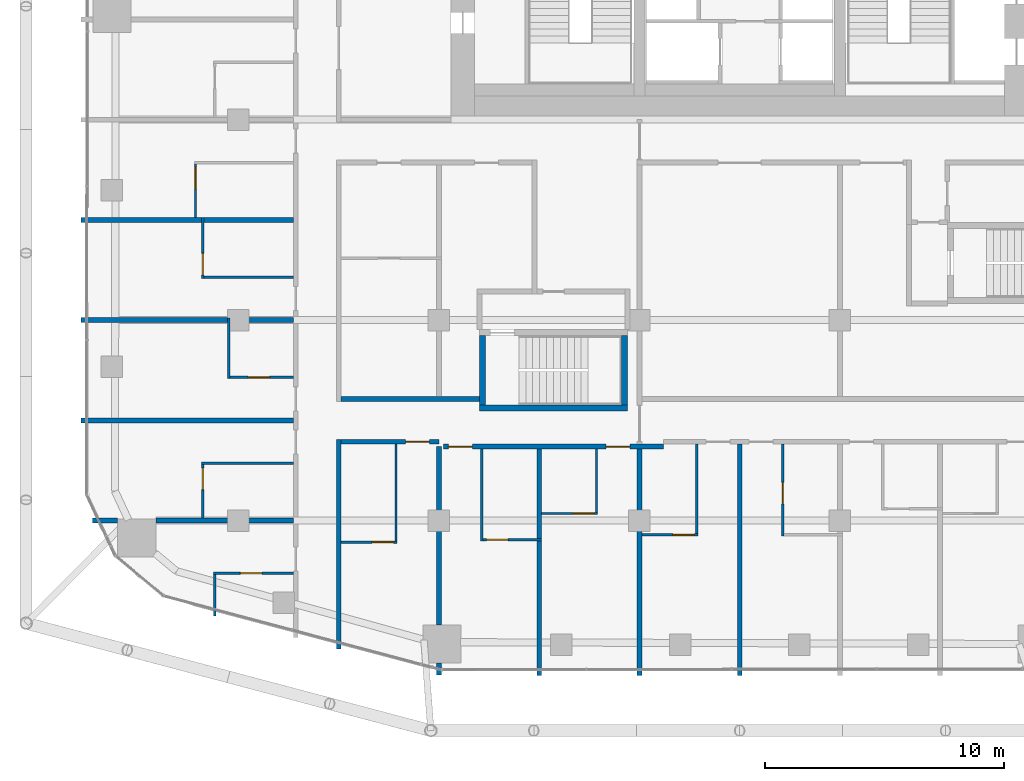
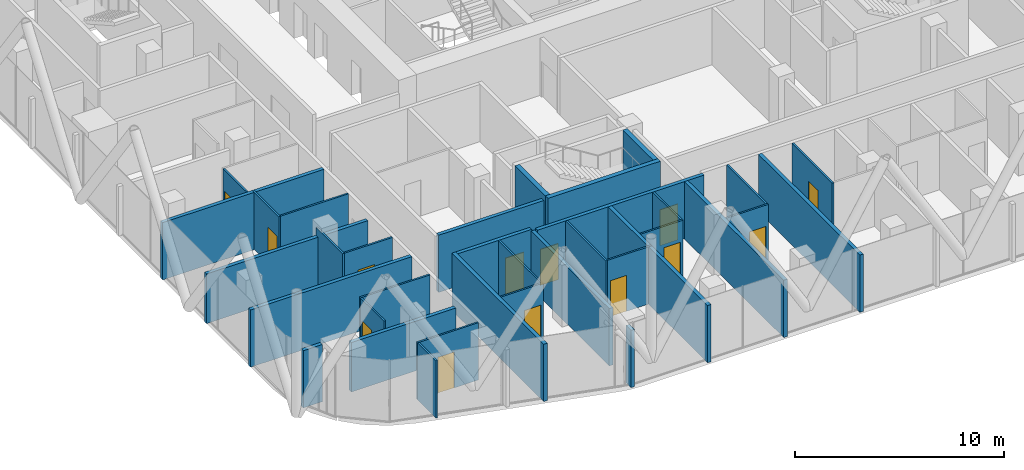
# One storey, part 24 of 33: 35 walls, 13 doors, 13 openings.
"""IFC4 building model written with IfcOpenShell, lengths in metres."""

from ifc_helpers import new_model, si_unit, direction, frame, frame_2d, origin, place, context, subcontext, project, spatial, rectangle, extrude, material, layer, layer_set, type_object, element, fill, save


model = new_model("IFC4")

# Units and contexts
model_context = context("Model", 3, precision=1e-05, world=origin(), true_north=direction((0.0, 1.0)))
body_context = subcontext(model_context, "Body", "Model", "MODEL_VIEW")
ifc_project = project(units=[si_unit("LENGTHUNIT", "METRE"), si_unit("AREAUNIT", "SQUARE_METRE"), si_unit("VOLUMEUNIT", "CUBIC_METRE"), si_unit("PLANEANGLEUNIT", "RADIAN"), si_unit("MASSUNIT", "GRAM", prefix="KILO")], contexts=[model_context])

# Site, building, storey
site_placement = place(None, origin())
site = spatial("IfcSite", under=ifc_project, at=site_placement, CompositionType="ELEMENT")
building_placement = place(site_placement, origin())
building = spatial("IfcBuilding", under=site, at=building_placement, Name="Marenta Gate Hotel Tower", CompositionType="ELEMENT")
storey_placement = place(building_placement, frame((0.0, 0.0, 108.5)))
storey = spatial("IfcBuildingStorey", under=building, at=storey_placement, Name="L23", CompositionType="ELEMENT", Elevation=108.5)

# Walls
ifc_material_1 = material(Name="Concrete blockwork", Category="masonry")
ifc_layer_1 = layer(ifc_material_1, 0.199951171875)
ifc_layer_set_1 = layer_set([ifc_layer_1], Name="Concrete blockwork")
wall_type_1 = type_object("IfcWallType", Name="Compartment wall 200 REI 180", PredefinedType="PARTITIONING", material=ifc_layer_set_1)
wall_1_placement = place(storey_placement, frame((-4.199951171875, -23.300048828125, 0.0), z_axis=(0.0, 0.0, 1.0), x_axis=(0.0, 1.0, 0.0)))
element("IfcWall", 1, at=wall_1_placement, inside=storey, type_object=wall_type_1, Name="L23-PTN-W078", PredefinedType="PARTITIONING", context=body_context, shape_type="SweptSolid", body=[
    extrude(rectangle(XDim=9.5, YDim=0.199951171875, at=frame_2d((4.75, 0.0))), origin(), (0.0, 0.0, 1.0), 3.340087890625),
])
ifc_material_2 = material(Name="Concrete C40", Category="concrete")
ifc_layer_2 = layer(ifc_material_2, 0.25)
ifc_layer_set_2 = layer_set([ifc_layer_2], Name="Concrete C40")
wall_type_2 = type_object("IfcWallType", Name="Remote stair enclosure wall 250 REI 180", PredefinedType="SHEAR", material=ifc_layer_set_2)
wall_2_placement = place(storey_placement, frame((-10.89990234375, -12.074951171875, 0.10009765625), z_axis=(0.0, 0.0, 1.0), x_axis=(1.0, 0.0, 0.0)))
element("IfcWall", 2, at=wall_2_placement, inside=storey, type_object=wall_type_2, Name="L23-RS-Z2-1-W1", PredefinedType="SHEAR", context=body_context, shape_type="SweptSolid", body=[
    extrude(rectangle(XDim=6.199951171875, YDim=0.25, at=frame_2d((3.10009765625, 0.0))), origin(), (0.0, 0.0, 1.0), 3.599853515625),
])
for number, where, z_axis, x_axis, name in (
    (3, (-10.77490234375, -11.949951171875, 0.10009765625), (0.0, 0.0, 1.0), (0.0, 1.0, 0.0), "L23-RS-Z2-1-W3"),
    (4, (-4.824951171875, -11.949951171875, 0.10009765625), (0.0, 0.0, 1.0), (0.0, 1.0, 0.0), "L23-RS-Z2-1-W4"),
):
    element("IfcWall", number, at=place(storey_placement, frame(where, z_axis=z_axis, x_axis=x_axis)), inside=storey, type_object=wall_type_2, Name=name, PredefinedType="SHEAR", context=body_context, shape_type="SweptSolid", body=[
        extrude(rectangle(XDim=2.89990234375, YDim=0.25, at=frame_2d((1.449951171875, 0.0))), origin(), (0.0, 0.0, 1.0), 3.599853515625),
    ])
ifc_material_3 = material(Name="Concrete blockwork", Category="masonry")
ifc_layer_3 = layer(ifc_material_3, 0.199951171875)
ifc_layer_set_3 = layer_set([ifc_layer_3], Name="Concrete blockwork")
wall_type_3 = type_object("IfcWallType", Name="Room corridor wall 200 EI 120", PredefinedType="PARTITIONING", material=ifc_layer_set_3)
wall_3_placement = place(storey_placement, frame((-16.699951171875, -11.699951171875, 0.0), z_axis=(0.0, 0.0, 1.0), x_axis=(1.0, 0.0, 0.0)))
element("IfcWall", 5, at=wall_3_placement, inside=storey, type_object=wall_type_3, Name="L23-PTN-W037", PredefinedType="PARTITIONING", context=body_context, shape_type="SweptSolid", body=[
    extrude(rectangle(XDim=5.800048828125, YDim=0.199951171875, at=frame_2d((2.89990234375, 0.0))), origin(), (0.0, 0.0, 1.0), 3.340087890625),
])

# Wall, openings, doors
ifc_material_4 = material(Name="Gypsum board on steel stud", Category="steel")
ifc_layer_4 = layer(ifc_material_4, 0.199951171875)
ifc_layer_set_4 = layer_set([ifc_layer_4], Name="Gypsum board on steel stud")
wall_type_4 = type_object("IfcWallType", Name="Room corridor wall 200 EI 60", PredefinedType="PARTITIONING", material=ifc_layer_set_4)
wall_4_placement = place(storey_placement, frame((-12.39990234375, -13.699951171875, 0.0), z_axis=(0.0, 0.0, 1.0), x_axis=(1.0, 0.0, 0.0)))
wall_4 = element("IfcWall", 6, at=wall_4_placement, inside=storey, type_object=wall_type_4, Name="L23-PTN-W028", PredefinedType="PARTITIONING", context=body_context, shape_type="SweptSolid", body=[
    extrude(rectangle(XDim=9.199951171875, YDim=0.199951171875, at=frame_2d((4.60009765625, 0.0))), origin(), (0.0, 0.0, 1.0), 3.340087890625),
])
opening_1_placement = place(wall_4_placement, frame((0.199951171875, 0.0, 0.0)))
opening_1 = element("IfcOpeningElement", 7, at=opening_1_placement, cuts=wall_4, Name="Opening G08-39", PredefinedType="OPENING", context=body_context, shape_type="SweptSolid", body=[
    extrude(rectangle(XDim=1.0, YDim=2.10009765625, at=frame_2d((0.5, 1.050048828125))), frame((0.0, 0.10009765625, 0.0), z_axis=(0.0, -1.0, 0.0), x_axis=(1.0, 0.0, 0.0)), (0.0, 0.0, 1.0), 0.199951171875),
])
opening_2_placement = place(wall_4_placement, frame((6.800048828125, 0.0, 0.0)))
opening_2 = element("IfcOpeningElement", 8, at=opening_2_placement, cuts=wall_4, Name="Opening G08-41", PredefinedType="OPENING", context=body_context, shape_type="SweptSolid", body=[
    extrude(rectangle(XDim=1.0, YDim=2.10009765625, at=frame_2d((0.5, 1.050048828125))), frame((0.0, 0.10009765625, 0.0), z_axis=(0.0, -1.0, 0.0), x_axis=(1.0, 0.0, 0.0)), (0.0, 0.0, 1.0), 0.199951171875),
])
ifc_material_5 = material(Name="Timber door leaf", Category="wood")
door_type_1 = type_object("IfcDoorType", Name="Guest room door 1000x2100 EI 30", OperationType="NOTDEFINED", PredefinedType="DOOR", material=ifc_material_5)
door_1_placement = place(opening_1_placement, origin())
door_1 = element("IfcDoor", 9, at=door_1_placement, inside=storey, type_object=door_type_1, Name="L23-PD-D039", OperationType="SINGLE_SWING_RIGHT", OverallHeight=2.10009765625, OverallWidth=1.0, PredefinedType="DOOR", context=body_context, shape_type="SweptSolid", body=[
    extrude(rectangle(XDim=1.0, YDim=2.10009765625, at=frame_2d((0.5, 1.050048828125))), frame((0.0, 0.02490234375, 0.0), z_axis=(0.0, -1.0, 0.0), x_axis=(1.0, 0.0, 0.0)), (0.0, 0.0, 1.0), 0.050048828125),
])
fill(opening_1, door_1)
door_2_placement = place(opening_2_placement, origin())
door_2 = element("IfcDoor", 10, at=door_2_placement, inside=storey, type_object=door_type_1, Name="L23-PD-D041", OperationType="SINGLE_SWING_LEFT", OverallHeight=2.10009765625, OverallWidth=1.0, PredefinedType="DOOR", context=body_context, shape_type="SweptSolid", body=[
    extrude(rectangle(XDim=1.0, YDim=2.10009765625, at=frame_2d((0.5, 1.050048828125))), frame((0.0, 0.02490234375, 0.0), z_axis=(0.0, -1.0, 0.0), x_axis=(1.0, 0.0, 0.0)), (0.0, 0.0, 1.0), 0.050048828125),
])
fill(opening_2, door_2)

# Wall, opening, door
wall_5_placement = place(storey_placement, frame((-16.699951171875, -13.5, 0.0), z_axis=(0.0, 0.0, 1.0), x_axis=(1.0, 0.0, 0.0)))
wall_5 = element("IfcWall", 11, at=wall_5_placement, inside=storey, type_object=wall_type_4, Name="L23-PTN-W029", PredefinedType="PARTITIONING", context=body_context, shape_type="SweptSolid", body=[
    extrude(rectangle(XDim=4.099853515625, YDim=0.199951171875, at=frame_2d((2.0498046875, 0.0))), origin(), (0.0, 0.0, 1.0), 3.340087890625),
])
opening_3_placement = place(wall_5_placement, frame((2.699951171875, 0.0, 0.0)))
opening_3 = element("IfcOpeningElement", 12, at=opening_3_placement, cuts=wall_5, Name="Opening G08-37", PredefinedType="OPENING", context=body_context, shape_type="SweptSolid", body=[
    extrude(rectangle(XDim=1.0, YDim=2.10009765625, at=frame_2d((0.5, 1.050048828125))), frame((0.0, 0.10009765625, 0.0), z_axis=(0.0, -1.0, 0.0), x_axis=(1.0, 0.0, 0.0)), (0.0, 0.0, 1.0), 0.199951171875),
])
door_3_placement = place(opening_3_placement, origin())
door_3 = element("IfcDoor", 13, at=door_3_placement, inside=storey, type_object=door_type_1, Name="L23-PD-D037", OperationType="SINGLE_SWING_LEFT", OverallHeight=2.10009765625, OverallWidth=1.0, PredefinedType="DOOR", context=body_context, shape_type="SweptSolid", body=[
    extrude(rectangle(XDim=1.0, YDim=2.10009765625, at=frame_2d((0.5, 1.050048828125))), frame((0.0, 0.02490234375, 0.0), z_axis=(0.0, -1.0, 0.0), x_axis=(1.0, 0.0, 0.0)), (0.0, 0.0, 1.0), 0.050048828125),
])
fill(opening_3, door_3)

# Wall
wall_6_placement = place(storey_placement, frame((-16.800048828125, -22.18603515625, 0.0), z_axis=(0.0, 0.0, 1.0), x_axis=(0.0, 1.0, 0.0)))
element("IfcWall", 14, at=wall_6_placement, inside=storey, type_object=wall_type_4, Name="L23-PTN-W103", PredefinedType="PARTITIONING", context=body_context, shape_type="SweptSolid", body=[
    extrude(rectangle(XDim=8.7861328125, YDim=0.199951171875, at=frame_2d((4.39306640625, 0.0))), origin(), (0.0, 0.0, 1.0), 3.340087890625),
])

# Wall, opening, door
ifc_material_6 = material(Name="Gypsum board on steel stud", Category="steel")
ifc_layer_5 = layer(ifc_material_6, 0.10009765625)
ifc_layer_set_5 = layer_set([ifc_layer_5], Name="Gypsum board on steel stud")
wall_type_5 = type_object("IfcWallType", Name="Room partition 100", PredefinedType="PARTITIONING", material=ifc_layer_set_5)
wall_7_placement = place(storey_placement, frame((-22.050048828125, -19.008056640625, 0.0), z_axis=(0.0, 0.0, 1.0), x_axis=(1.0, 0.0, 0.0)))
wall_7 = element("IfcWall", 15, at=wall_7_placement, inside=storey, type_object=wall_type_5, Name="L23-PTN-W009", PredefinedType="PARTITIONING", context=body_context, shape_type="SweptSolid", body=[
    extrude(rectangle(XDim=3.35009765625, YDim=0.10009765625, at=frame_2d((1.675048828125, 0.0))), origin(), (0.0, 0.0, 1.0), 3.340087890625),
])
opening_4_placement = place(wall_7_placement, frame((1.1298828125, 0.0, 0.0)))
opening_4 = element("IfcOpeningElement", 16, at=opening_4_placement, cuts=wall_7, Name="Opening G08-54", PredefinedType="OPENING", context=body_context, shape_type="SweptSolid", body=[
    extrude(rectangle(XDim=0.89990234375, YDim=2.10009765625, at=frame_2d((0.449951171875, 1.050048828125))), frame((0.0, 0.050048828125, 0.0), z_axis=(0.0, -1.0, 0.0), x_axis=(1.0, 0.0, 0.0)), (0.0, 0.0, 1.0), 0.10009765625),
])
ifc_material_7 = material(Name="Timber door leaf", Category="wood")
door_type_2 = type_object("IfcDoorType", Name="Guest bathroom door 900x2100", OperationType="NOTDEFINED", PredefinedType="DOOR", material=ifc_material_7)
door_4_placement = place(opening_4_placement, origin())
door_4 = element("IfcDoor", 17, at=door_4_placement, inside=storey, type_object=door_type_2, Name="L23-PD-D054", OperationType="SINGLE_SWING_LEFT", OverallHeight=2.10009765625, OverallWidth=0.89990234375, PredefinedType="DOOR", context=body_context, shape_type="SweptSolid", body=[
    extrude(rectangle(XDim=0.89990234375, YDim=2.10009765625, at=frame_2d((0.449951171875, 1.050048828125))), frame((0.0, 0.02490234375, 0.0), z_axis=(0.0, -1.0, 0.0), x_axis=(1.0, 0.0, 0.0)), (0.0, 0.0, 1.0), 0.050048828125),
])
fill(opening_4, door_4)

wall_8_placement = place(storey_placement, frame((-16.699951171875, -17.699951171875, 0.0), z_axis=(0.0, 0.0, 1.0), x_axis=(1.0, 0.0, 0.0)))
wall_8 = element("IfcWall", 18, at=wall_8_placement, inside=storey, type_object=wall_type_5, Name="L23-PTN-W011", PredefinedType="PARTITIONING", context=body_context, shape_type="SweptSolid", body=[
    extrude(rectangle(XDim=2.349853515625, YDim=0.10009765625, at=frame_2d((1.1748046875, 0.0))), origin(), (0.0, 0.0, 1.0), 3.340087890625),
])
opening_5_placement = place(wall_8_placement, frame((1.300048828125, 0.0, 0.0)))
opening_5 = element("IfcOpeningElement", 19, at=opening_5_placement, cuts=wall_8, Name="Opening G08-38", PredefinedType="OPENING", context=body_context, shape_type="SweptSolid", body=[
    extrude(rectangle(XDim=0.89990234375, YDim=2.10009765625, at=frame_2d((0.449951171875, 1.050048828125))), frame((0.0, 0.050048828125, 0.0), z_axis=(0.0, -1.0, 0.0), x_axis=(1.0, 0.0, 0.0)), (0.0, 0.0, 1.0), 0.10009765625),
])
door_5_placement = place(opening_5_placement, origin())
door_5 = element("IfcDoor", 20, at=door_5_placement, inside=storey, type_object=door_type_2, Name="L23-PD-D038", OperationType="SINGLE_SWING_RIGHT", OverallHeight=2.10009765625, OverallWidth=0.89990234375, PredefinedType="DOOR", context=body_context, shape_type="SweptSolid", body=[
    extrude(rectangle(XDim=0.89990234375, YDim=2.10009765625, at=frame_2d((0.449951171875, 1.050048828125))), frame((0.0, 0.02490234375, 0.0), z_axis=(0.0, -1.0, 0.0), x_axis=(1.0, 0.0, 0.0)), (0.0, 0.0, 1.0), 0.050048828125),
])
fill(opening_5, door_5)

wall_9_placement = place(storey_placement, frame((-10.75, -17.60009765625, 0.0), z_axis=(0.0, 0.0, 1.0), x_axis=(1.0, 0.0, 0.0)))
wall_9 = element("IfcWall", 21, at=wall_9_placement, inside=storey, type_object=wall_type_5, Name="L23-PTN-W012", PredefinedType="PARTITIONING", context=body_context, shape_type="SweptSolid", body=[
    extrude(rectangle(XDim=2.449951171875, YDim=0.10009765625, at=frame_2d((1.22509765625, 0.0))), origin(), (0.0, 0.0, 1.0), 3.340087890625),
])
opening_6_placement = place(wall_9_placement, frame((0.14990234375, 0.0, 0.0)))
opening_6 = element("IfcOpeningElement", 22, at=opening_6_placement, cuts=wall_9, Name="Opening G08-40", PredefinedType="OPENING", context=body_context, shape_type="SweptSolid", body=[
    extrude(rectangle(XDim=0.89990234375, YDim=2.10009765625, at=frame_2d((0.449951171875, 1.050048828125))), frame((0.0, 0.050048828125, 0.0), z_axis=(0.0, -1.0, 0.0), x_axis=(1.0, 0.0, 0.0)), (0.0, 0.0, 1.0), 0.10009765625),
])
door_6_placement = place(opening_6_placement, origin())
door_6 = element("IfcDoor", 23, at=door_6_placement, inside=storey, type_object=door_type_2, Name="L23-PD-D040", OperationType="SINGLE_SWING_LEFT", OverallHeight=2.10009765625, OverallWidth=0.89990234375, PredefinedType="DOOR", context=body_context, shape_type="SweptSolid", body=[
    extrude(rectangle(XDim=0.89990234375, YDim=2.10009765625, at=frame_2d((0.449951171875, 1.050048828125))), frame((0.0, 0.02490234375, 0.0), z_axis=(0.0, -1.0, 0.0), x_axis=(1.0, 0.0, 0.0)), (0.0, 0.0, 1.0), 0.050048828125),
])
fill(opening_6, door_6)

wall_10_placement = place(storey_placement, frame((-4.10009765625, -17.39990234375, 0.0), z_axis=(0.0, 0.0, 1.0), x_axis=(1.0, 0.0, 0.0)))
wall_10 = element("IfcWall", 24, at=wall_10_placement, inside=storey, type_object=wall_type_5, Name="L23-PTN-W013", PredefinedType="PARTITIONING", context=body_context, shape_type="SweptSolid", body=[
    extrude(rectangle(XDim=2.35009765625, YDim=0.10009765625, at=frame_2d((1.175048828125, 0.0))), origin(), (0.0, 0.0, 1.0), 3.340087890625),
])
opening_7_placement = place(wall_10_placement, frame((1.300048828125, 0.0, 0.0)))
opening_7 = element("IfcOpeningElement", 25, at=opening_7_placement, cuts=wall_10, Name="Opening G08-44", PredefinedType="OPENING", context=body_context, shape_type="SweptSolid", body=[
    extrude(rectangle(XDim=0.89990234375, YDim=2.10009765625, at=frame_2d((0.449951171875, 1.050048828125))), frame((0.0, 0.050048828125, 0.0), z_axis=(0.0, -1.0, 0.0), x_axis=(1.0, 0.0, 0.0)), (0.0, 0.0, 1.0), 0.10009765625),
])
door_7_placement = place(opening_7_placement, origin())
door_7 = element("IfcDoor", 26, at=door_7_placement, inside=storey, type_object=door_type_2, Name="L23-PD-D044", OperationType="SINGLE_SWING_RIGHT", OverallHeight=2.10009765625, OverallWidth=0.89990234375, PredefinedType="DOOR", context=body_context, shape_type="SweptSolid", body=[
    extrude(rectangle(XDim=0.89990234375, YDim=2.10009765625, at=frame_2d((0.449951171875, 1.050048828125))), frame((0.0, 0.02490234375, 0.0), z_axis=(0.0, -1.0, 0.0), x_axis=(1.0, 0.0, 0.0)), (0.0, 0.0, 1.0), 0.050048828125),
])
fill(opening_7, door_7)

wall_11_placement = place(storey_placement, frame((-8.300048828125, -16.5, 0.0), z_axis=(0.0, 0.0, 1.0), x_axis=(1.0, 0.0, 0.0)))
wall_11 = element("IfcWall", 27, at=wall_11_placement, inside=storey, type_object=wall_type_5, Name="L23-PTN-W021", PredefinedType="PARTITIONING", context=body_context, shape_type="SweptSolid", body=[
    extrude(rectangle(XDim=2.35009765625, YDim=0.10009765625, at=frame_2d((1.175048828125, 0.0))), origin(), (0.0, 0.0, 1.0), 3.340087890625),
])
opening_8_placement = place(wall_11_placement, frame((1.300048828125, 0.0, 0.0)))
opening_8 = element("IfcOpeningElement", 28, at=opening_8_placement, cuts=wall_11, Name="Opening G08-42", PredefinedType="OPENING", context=body_context, shape_type="SweptSolid", body=[
    extrude(rectangle(XDim=0.89990234375, YDim=2.10009765625, at=frame_2d((0.449951171875, 1.050048828125))), frame((0.0, 0.050048828125, 0.0), z_axis=(0.0, -1.0, 0.0), x_axis=(1.0, 0.0, 0.0)), (0.0, 0.0, 1.0), 0.10009765625),
])
door_8_placement = place(opening_8_placement, origin())
door_8 = element("IfcDoor", 29, at=door_8_placement, inside=storey, type_object=door_type_2, Name="L23-PD-D042", OperationType="SINGLE_SWING_RIGHT", OverallHeight=2.10009765625, OverallWidth=0.89990234375, PredefinedType="DOOR", context=body_context, shape_type="SweptSolid", body=[
    extrude(rectangle(XDim=0.89990234375, YDim=2.10009765625, at=frame_2d((0.449951171875, 1.050048828125))), frame((0.0, 0.02490234375, 0.0), z_axis=(0.0, -1.0, 0.0), x_axis=(1.0, 0.0, 0.0)), (0.0, 0.0, 1.0), 0.050048828125),
])
fill(opening_8, door_8)

# Wall
wall_12_placement = place(storey_placement, frame((-22.550048828125, -14.39990234375, 0.0), z_axis=(0.0, 0.0, 1.0), x_axis=(1.0, 0.0, 0.0)))
element("IfcWall", 30, at=wall_12_placement, inside=storey, type_object=wall_type_5, Name="L23-PTN-W026", PredefinedType="PARTITIONING", context=body_context, shape_type="SweptSolid", body=[
    extrude(rectangle(XDim=3.85009765625, YDim=0.10009765625, at=frame_2d((1.925048828125, 0.0))), origin(), (0.0, 0.0, 1.0), 3.340087890625),
])

# Wall, opening, door
wall_13_placement = place(storey_placement, frame((-21.35009765625, -10.800048828125, 0.0), z_axis=(0.0, 0.0, 1.0), x_axis=(1.0, 0.0, 0.0)))
wall_13 = element("IfcWall", 31, at=wall_13_placement, inside=storey, type_object=wall_type_5, Name="L23-PTN-W040", PredefinedType="PARTITIONING", context=body_context, shape_type="SweptSolid", body=[
    extrude(rectangle(XDim=2.650146484375, YDim=0.10009765625, at=frame_2d((1.3251953125, 0.0))), origin(), (0.0, 0.0, 1.0), 3.340087890625),
])
opening_9_placement = place(wall_13_placement, frame((0.760009765625, 0.0, 0.0)))
opening_9 = element("IfcOpeningElement", 32, at=opening_9_placement, cuts=wall_13, Name="Opening G08-58", PredefinedType="OPENING", context=body_context, shape_type="SweptSolid", body=[
    extrude(rectangle(XDim=0.89990234375, YDim=2.10009765625, at=frame_2d((0.449951171875, 1.050048828125))), frame((0.0, 0.050048828125, 0.0), z_axis=(0.0, -1.0, 0.0), x_axis=(1.0, 0.0, 0.0)), (0.0, 0.0, 1.0), 0.10009765625),
])
door_9_placement = place(opening_9_placement, origin())
door_9 = element("IfcDoor", 33, at=door_9_placement, inside=storey, type_object=door_type_2, Name="L23-PD-D058", OperationType="SINGLE_SWING_LEFT", OverallHeight=2.10009765625, OverallWidth=0.89990234375, PredefinedType="DOOR", context=body_context, shape_type="SweptSolid", body=[
    extrude(rectangle(XDim=0.89990234375, YDim=2.10009765625, at=frame_2d((0.449951171875, 1.050048828125))), frame((0.0, 0.02490234375, 0.0), z_axis=(0.0, -1.0, 0.0), x_axis=(1.0, 0.0, 0.0)), (0.0, 0.0, 1.0), 0.050048828125),
])
fill(opening_9, door_9)

# Wall
wall_14_placement = place(storey_placement, frame((-22.449951171875, -6.60009765625, 0.0), z_axis=(0.0, 0.0, 1.0), x_axis=(1.0, 0.0, 0.0)))
element("IfcWall", 34, at=wall_14_placement, inside=storey, type_object=wall_type_5, Name="L23-PTN-W053", PredefinedType="PARTITIONING", context=body_context, shape_type="SweptSolid", body=[
    extrude(rectangle(XDim=3.75, YDim=0.10009765625, at=frame_2d((1.875, 0.0))), origin(), (0.0, 0.0, 1.0), 3.340087890625),
])

# Wall, opening, door
wall_15_placement = place(storey_placement, frame((1.800048828125, -17.449951171875, 0.0), z_axis=(0.0, 0.0, 1.0), x_axis=(0.0, 1.0, 0.0)))
wall_15 = element("IfcWall", 35, at=wall_15_placement, inside=storey, type_object=wall_type_5, Name="L23-PTN-W064", PredefinedType="PARTITIONING", context=body_context, shape_type="SweptSolid", body=[
    extrude(rectangle(XDim=3.849853515625, YDim=0.10009765625, at=frame_2d((1.9248046875, 0.0))), origin(), (0.0, 0.0, 1.0), 3.340087890625),
])
opening_10_placement = place(wall_15_placement, frame((1.35498046875, 0.0, 0.0)))
opening_10 = element("IfcOpeningElement", 36, at=opening_10_placement, cuts=wall_15, Name="Opening G08-46", PredefinedType="OPENING", context=body_context, shape_type="SweptSolid", body=[
    extrude(rectangle(XDim=0.89990234375, YDim=2.10009765625, at=frame_2d((0.449951171875, 1.050048828125))), frame((0.0, 0.050048828125, 0.0), z_axis=(0.0, -1.0, 0.0), x_axis=(1.0, 0.0, 0.0)), (0.0, 0.0, 1.0), 0.10009765625),
])
door_10_placement = place(opening_10_placement, origin())
door_10 = element("IfcDoor", 37, at=door_10_placement, inside=storey, type_object=door_type_2, Name="L23-PD-D046", OperationType="SINGLE_SWING_RIGHT", OverallHeight=2.10009765625, OverallWidth=0.89990234375, PredefinedType="DOOR", context=body_context, shape_type="SweptSolid", body=[
    extrude(rectangle(XDim=0.89990234375, YDim=2.10009765625, at=frame_2d((0.449951171875, 1.050048828125))), frame((0.0, 0.02490234375, 0.0), z_axis=(0.0, -1.0, 0.0), x_axis=(1.0, 0.0, 0.0)), (0.0, 0.0, 1.0), 0.050048828125),
])
fill(opening_10, door_10)

# Walls
wall_16_placement = place(storey_placement, frame((-1.800048828125, -17.35009765625, 0.0), z_axis=(0.0, 0.0, 1.0), x_axis=(0.0, 1.0, 0.0)))
element("IfcWall", 38, at=wall_16_placement, inside=storey, type_object=wall_type_5, Name="L23-PTN-W075", PredefinedType="PARTITIONING", context=body_context, shape_type="SweptSolid", body=[
    extrude(rectangle(XDim=3.75, YDim=0.10009765625, at=frame_2d((1.875, 0.0))), origin(), (0.0, 0.0, 1.0), 3.340087890625),
])
wall_17_placement = place(storey_placement, frame((-6.0, -16.449951171875, 0.0), z_axis=(0.0, 0.0, 1.0), x_axis=(0.0, 1.0, 0.0)))
element("IfcWall", 39, at=wall_17_placement, inside=storey, type_object=wall_type_5, Name="L23-PTN-W083", PredefinedType="PARTITIONING", context=body_context, shape_type="SweptSolid", body=[
    extrude(rectangle(XDim=2.64990234375, YDim=0.10009765625, at=frame_2d((1.324951171875, 0.0))), origin(), (0.0, 0.0, 1.0), 3.340087890625),
])
wall_18_placement = place(storey_placement, frame((-10.800048828125, -17.64990234375, 0.0), z_axis=(0.0, 0.0, 1.0), x_axis=(0.0, 1.0, 0.0)))
element("IfcWall", 40, at=wall_18_placement, inside=storey, type_object=wall_type_5, Name="L23-PTN-W094", PredefinedType="PARTITIONING", context=body_context, shape_type="SweptSolid", body=[
    extrude(rectangle(XDim=3.849853515625, YDim=0.10009765625, at=frame_2d((1.9248046875, 0.0))), origin(), (0.0, 0.0, 1.0), 3.340087890625),
])
wall_19_placement = place(storey_placement, frame((-14.39990234375, -17.64990234375, 0.0), z_axis=(0.0, 0.0, 1.0), x_axis=(0.0, 1.0, 0.0)))
element("IfcWall", 41, at=wall_19_placement, inside=storey, type_object=wall_type_5, Name="L23-PTN-W100", PredefinedType="PARTITIONING", context=body_context, shape_type="SweptSolid", body=[
    extrude(rectangle(XDim=4.0498046875, YDim=0.10009765625, at=frame_2d((2.02490234375, 0.0))), origin(), (0.0, 0.0, 1.0), 3.340087890625),
])
wall_20_placement = place(storey_placement, frame((-21.39990234375, -10.85009765625, 0.0), z_axis=(0.0, 0.0, 1.0), x_axis=(0.0, 1.0, 0.0)))
element("IfcWall", 42, at=wall_20_placement, inside=storey, type_object=wall_type_5, Name="L23-PTN-W115", PredefinedType="PARTITIONING", context=body_context, shape_type="SweptSolid", body=[
    extrude(rectangle(XDim=2.550048828125, YDim=0.10009765625, at=frame_2d((1.27490234375, 0.0))), origin(), (0.0, 0.0, 1.0), 3.340087890625),
])
wall_21_placement = place(storey_placement, frame((-22.0, -20.805908203125, 0.0), z_axis=(0.0, 0.0, 1.0), x_axis=(0.0, 1.0, 0.0)))
element("IfcWall", 43, at=wall_21_placement, inside=storey, type_object=wall_type_5, Name="L23-PTN-W119", PredefinedType="PARTITIONING", context=body_context, shape_type="SweptSolid", body=[
    extrude(rectangle(XDim=1.747802734375, YDim=0.10009765625, at=frame_2d((0.8740234375, 0.0))), origin(), (0.0, 0.0, 1.0), 3.340087890625),
])

# Wall, opening, door
wall_22_placement = place(storey_placement, frame((-22.5, -16.699951171875, 0.0), z_axis=(0.0, 0.0, 1.0), x_axis=(0.0, 1.0, 0.0)))
wall_22 = element("IfcWall", 44, at=wall_22_placement, inside=storey, type_object=wall_type_5, Name="L23-PTN-W122", PredefinedType="PARTITIONING", context=body_context, shape_type="SweptSolid", body=[
    extrude(rectangle(XDim=2.25, YDim=0.10009765625, at=frame_2d((1.125, 0.0))), origin(), (0.0, 0.0, 1.0), 3.340087890625),
])
opening_11_placement = place(wall_22_placement, frame((1.199951171875, 0.0, 0.0)))
opening_11 = element("IfcOpeningElement", 45, at=opening_11_placement, cuts=wall_22, Name="Opening G08-56", PredefinedType="OPENING", context=body_context, shape_type="SweptSolid", body=[
    extrude(rectangle(XDim=0.89990234375, YDim=2.10009765625, at=frame_2d((0.449951171875, 1.050048828125))), frame((0.0, 0.050048828125, 0.0), z_axis=(0.0, -1.0, 0.0), x_axis=(1.0, 0.0, 0.0)), (0.0, 0.0, 1.0), 0.10009765625),
])
door_11_placement = place(opening_11_placement, origin())
door_11 = element("IfcDoor", 46, at=door_11_placement, inside=storey, type_object=door_type_2, Name="L23-PD-D056", OperationType="SINGLE_SWING_LEFT", OverallHeight=2.10009765625, OverallWidth=0.89990234375, PredefinedType="DOOR", context=body_context, shape_type="SweptSolid", body=[
    extrude(rectangle(XDim=0.89990234375, YDim=2.10009765625, at=frame_2d((0.449951171875, 1.050048828125))), frame((0.0, 0.02490234375, 0.0), z_axis=(0.0, -1.0, 0.0), x_axis=(1.0, 0.0, 0.0)), (0.0, 0.0, 1.0), 0.050048828125),
])
fill(opening_11, door_11)

wall_23_placement = place(storey_placement, frame((-22.5, -6.64990234375, 0.0), z_axis=(0.0, 0.0, 1.0), x_axis=(0.0, 1.0, 0.0)))
wall_23 = element("IfcWall", 47, at=wall_23_placement, inside=storey, type_object=wall_type_5, Name="L23-PTN-W123", PredefinedType="PARTITIONING", context=body_context, shape_type="SweptSolid", body=[
    extrude(rectangle(XDim=2.5498046875, YDim=0.10009765625, at=frame_2d((1.27490234375, 0.0))), origin(), (0.0, 0.0, 1.0), 3.340087890625),
])
opening_12_placement = place(wall_23_placement, frame((0.14990234375, 0.0, 0.0)))
opening_12 = element("IfcOpeningElement", 48, at=opening_12_placement, cuts=wall_23, Name="Opening G08-60", PredefinedType="OPENING", context=body_context, shape_type="SweptSolid", body=[
    extrude(rectangle(XDim=0.89990234375, YDim=2.10009765625, at=frame_2d((0.449951171875, 1.050048828125))), frame((0.0, 0.050048828125, 0.0), z_axis=(0.0, -1.0, 0.0), x_axis=(1.0, 0.0, 0.0)), (0.0, 0.0, 1.0), 0.10009765625),
])
door_12_placement = place(opening_12_placement, origin())
door_12 = element("IfcDoor", 49, at=door_12_placement, inside=storey, type_object=door_type_2, Name="L23-PD-D060", OperationType="SINGLE_SWING_RIGHT", OverallHeight=2.10009765625, OverallWidth=0.89990234375, PredefinedType="DOOR", context=body_context, shape_type="SweptSolid", body=[
    extrude(rectangle(XDim=0.89990234375, YDim=2.10009765625, at=frame_2d((0.449951171875, 1.050048828125))), frame((0.0, 0.02490234375, 0.0), z_axis=(0.0, -1.0, 0.0), x_axis=(1.0, 0.0, 0.0)), (0.0, 0.0, 1.0), 0.050048828125),
])
fill(opening_12, door_12)

wall_24_placement = place(storey_placement, frame((-22.800048828125, -4.10009765625, 0.0), z_axis=(0.0, 0.0, 1.0), x_axis=(0.0, 1.0, 0.0)))
wall_24 = element("IfcWall", 50, at=wall_24_placement, inside=storey, type_object=wall_type_5, Name="L23-PTN-W125", PredefinedType="PARTITIONING", context=body_context, shape_type="SweptSolid", body=[
    extrude(rectangle(XDim=2.25, YDim=0.10009765625, at=frame_2d((1.125, 0.0))), origin(), (0.0, 0.0, 1.0), 3.340087890625),
])
opening_13_placement = place(wall_24_placement, frame((1.199951171875, 0.0, 0.0)))
opening_13 = element("IfcOpeningElement", 51, at=opening_13_placement, cuts=wall_24, Name="Opening G08-62", PredefinedType="OPENING", context=body_context, shape_type="SweptSolid", body=[
    extrude(rectangle(XDim=0.89990234375, YDim=2.10009765625, at=frame_2d((0.449951171875, 1.050048828125))), frame((0.0, 0.050048828125, 0.0), z_axis=(0.0, -1.0, 0.0), x_axis=(1.0, 0.0, 0.0)), (0.0, 0.0, 1.0), 0.10009765625),
])
door_13_placement = place(opening_13_placement, origin())
door_13 = element("IfcDoor", 52, at=door_13_placement, inside=storey, type_object=door_type_2, Name="L23-PD-D062", OperationType="SINGLE_SWING_LEFT", OverallHeight=2.10009765625, OverallWidth=0.89990234375, PredefinedType="DOOR", context=body_context, shape_type="SweptSolid", body=[
    extrude(rectangle(XDim=0.89990234375, YDim=2.10009765625, at=frame_2d((0.449951171875, 1.050048828125))), frame((0.0, 0.02490234375, 0.0), z_axis=(0.0, -1.0, 0.0), x_axis=(1.0, 0.0, 0.0)), (0.0, 0.0, 1.0), 0.050048828125),
])
fill(opening_13, door_13)

# Walls
ifc_material_8 = material(Name="Gypsum board on steel stud", Category="steel")
ifc_layer_6 = layer(ifc_material_8, 0.199951171875)
ifc_layer_set_6 = layer_set([ifc_layer_6], Name="Gypsum board on steel stud")
wall_type_6 = type_object("IfcWallType", Name="Room party wall 200 EI 60", PredefinedType="PARTITIONING", material=ifc_layer_set_6)
wall_25_placement = place(storey_placement, frame((-27.112060546875, -16.800048828125, 0.0), z_axis=(0.0, 0.0, 1.0), x_axis=(1.0, 0.0, 0.0)))
element("IfcWall", 53, at=wall_25_placement, inside=storey, type_object=wall_type_6, Name="L23-PTN-W019", PredefinedType="PARTITIONING", context=body_context, shape_type="SweptSolid", body=[
    extrude(rectangle(XDim=1.049072265625, YDim=0.199951171875, at=frame_2d((0.5244140625, 0.0))), origin(), (0.0, 0.0, 1.0), 3.340087890625),
])
wall_26_placement = place(storey_placement, frame((-24.462890625, -16.800048828125, 0.0), z_axis=(0.0, 0.0, 1.0), x_axis=(1.0, 0.0, 0.0)))
element("IfcWall", 54, at=wall_26_placement, inside=storey, type_object=wall_type_6, Name="L23-PTN-W130", PredefinedType="PARTITIONING", context=body_context, shape_type="SweptSolid", body=[
    extrude(rectangle(XDim=5.762939453125, YDim=0.199951171875, at=frame_2d((2.88134765625, 0.0))), origin(), (0.0, 0.0, 1.0), 2.889892578125),
])
wall_27_placement = place(storey_placement, frame((-27.60009765625, -12.60009765625, 0.0), z_axis=(0.0, 0.0, 1.0), x_axis=(1.0, 0.0, 0.0)))
element("IfcWall", 55, at=wall_27_placement, inside=storey, type_object=wall_type_6, Name="L23-PTN-W035", PredefinedType="PARTITIONING", context=body_context, shape_type="SweptSolid", body=[
    extrude(rectangle(XDim=8.900146484375, YDim=0.199951171875, at=frame_2d((4.4501953125, 0.0))), origin(), (0.0, 0.0, 1.0), 3.340087890625),
])
wall_28_placement = place(storey_placement, frame((-27.60009765625, -8.39990234375, 0.0), z_axis=(0.0, 0.0, 1.0), x_axis=(1.0, 0.0, 0.0)))
element("IfcWall", 56, at=wall_28_placement, inside=storey, type_object=wall_type_6, Name="L23-PTN-W046", PredefinedType="PARTITIONING", context=body_context, shape_type="SweptSolid", body=[
    extrude(rectangle(XDim=8.900146484375, YDim=0.199951171875, at=frame_2d((4.4501953125, 0.0))), origin(), (0.0, 0.0, 1.0), 2.889892578125),
])
wall_29_placement = place(storey_placement, frame((-27.60009765625, -4.199951171875, 0.0), z_axis=(0.0, 0.0, 1.0), x_axis=(1.0, 0.0, 0.0)))
element("IfcWall", 57, at=wall_29_placement, inside=storey, type_object=wall_type_6, Name="L23-PTN-W061", PredefinedType="PARTITIONING", context=body_context, shape_type="SweptSolid", body=[
    extrude(rectangle(XDim=8.900146484375, YDim=0.199951171875, at=frame_2d((4.4501953125, 0.0))), origin(), (0.0, 0.0, 1.0), 3.340087890625),
])
wall_30_placement = place(storey_placement, frame((0.0, -23.300048828125, 0.0), z_axis=(0.0, 0.0, 1.0), x_axis=(0.0, 1.0, 0.0)))
element("IfcWall", 58, at=wall_30_placement, inside=storey, type_object=wall_type_6, Name="L23-PTN-W071", PredefinedType="PARTITIONING", context=body_context, shape_type="SweptSolid", body=[
    extrude(rectangle(XDim=9.699951171875, YDim=0.199951171875, at=frame_2d((4.85009765625, 0.0))), origin(), (0.0, 0.0, 1.0), 3.340087890625),
])
wall_31_placement = place(storey_placement, frame((-8.39990234375, -23.300048828125, 0.0), z_axis=(0.0, 0.0, 1.0), x_axis=(0.0, 1.0, 0.0)))
element("IfcWall", 59, at=wall_31_placement, inside=storey, type_object=wall_type_6, Name="L23-PTN-W086", PredefinedType="PARTITIONING", context=body_context, shape_type="SweptSolid", body=[
    extrude(rectangle(XDim=9.5, YDim=0.199951171875, at=frame_2d((4.75, 0.0))), origin(), (0.0, 0.0, 1.0), 3.340087890625),
])
wall_32_placement = place(storey_placement, frame((-12.60009765625, -23.26611328125, 0.0), z_axis=(0.0, 0.0, 1.0), x_axis=(0.0, 1.0, 0.0)))
element("IfcWall", 60, at=wall_32_placement, inside=storey, type_object=wall_type_6, Name="L23-PTN-W096", PredefinedType="PARTITIONING", context=body_context, shape_type="SweptSolid", body=[
    extrude(rectangle(XDim=0.4912109375, YDim=0.199951171875, at=frame_2d((0.24560546875, 0.0))), origin(), (0.0, 0.0, 1.0), 3.340087890625),
])
wall_33_placement = place(storey_placement, frame((-12.60009765625, -21.175048828125, 0.0), z_axis=(0.0, 0.0, 1.0), x_axis=(0.0, 1.0, 0.0)))
element("IfcWall", 61, at=wall_33_placement, inside=storey, type_object=wall_type_6, Name="L23-PTN-W134", PredefinedType="PARTITIONING", context=body_context, shape_type="SweptSolid", body=[
    extrude(rectangle(XDim=7.47509765625, YDim=0.199951171875, at=frame_2d((3.737548828125, 0.0))), origin(), (0.0, 0.0, 1.0), 3.340087890625),
])

save(model, "model.ifc")
